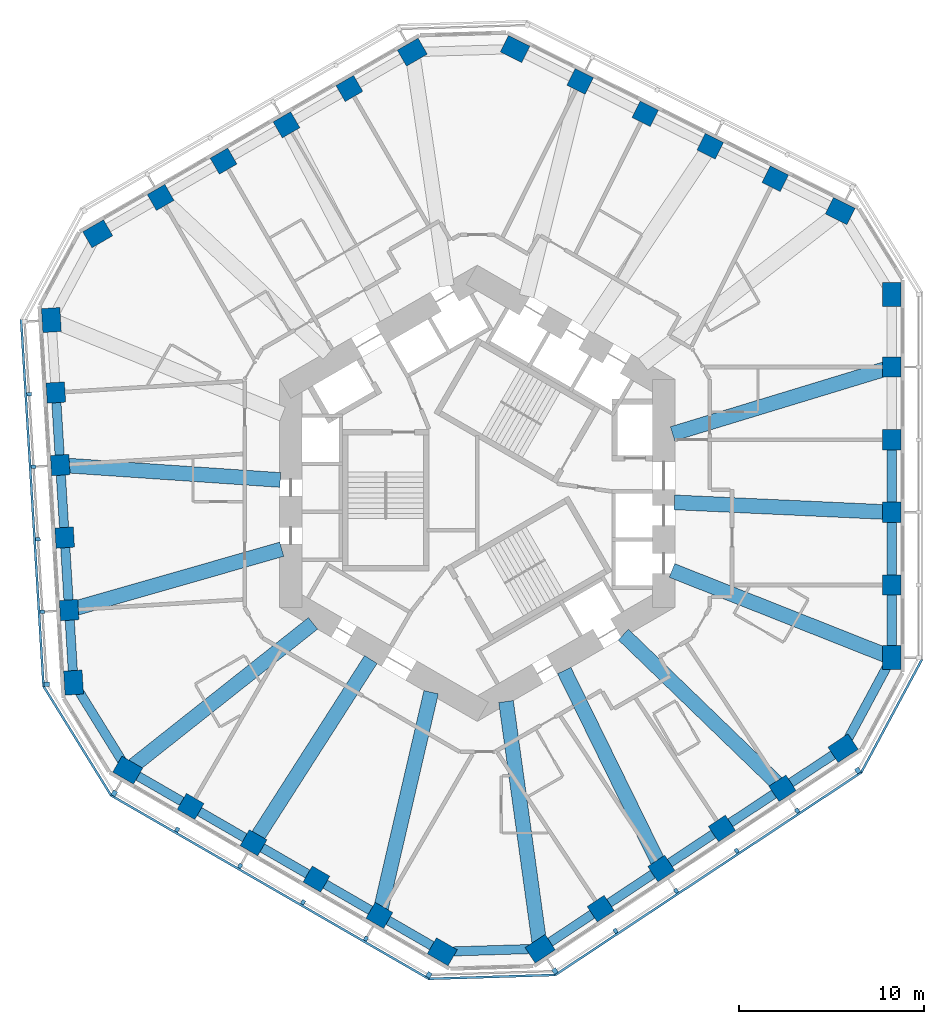
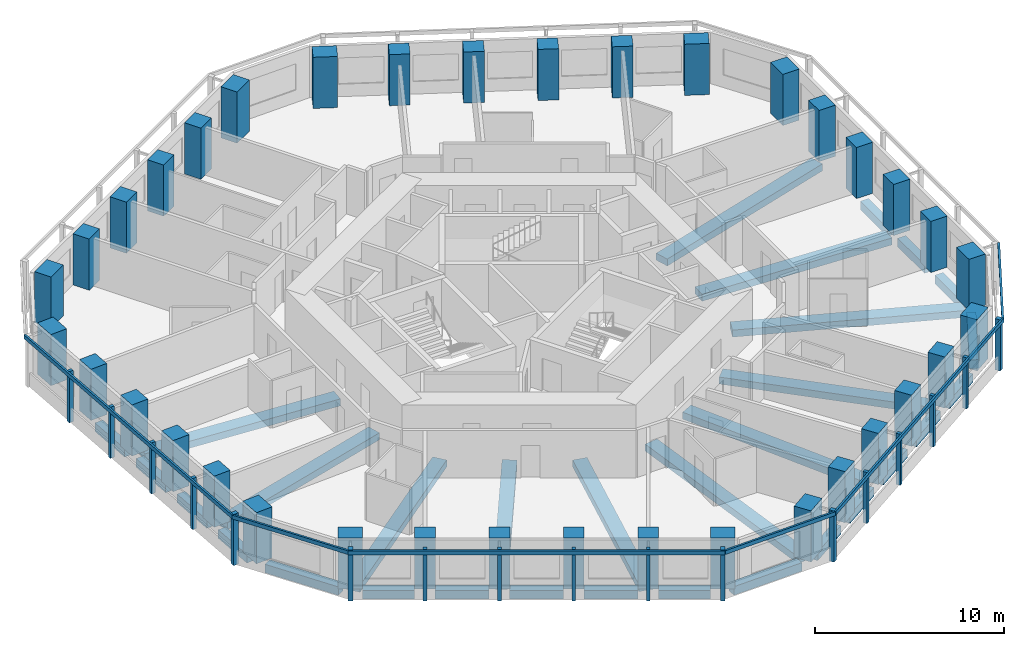
# One storey, part 1 of 12: 36 columns, 31 beams, 23 members, 6 elements without a shape of their own.
"""IFC4 building model written with IfcOpenShell, lengths in metres."""

from ifc_helpers import new_model, si_unit, direction, frame, origin, origin_2d, place, context, subcontext, project, spatial, rectangle, extrude, material, material_profile, profile_set, type_object, element, aggregate, save


model = new_model("IFC4")

# Units and contexts
model_context = context("Model", 3, precision=1e-05, world=origin(), true_north=direction((0.0, 1.0)))
body_context = subcontext(model_context, "Body", "Model", "MODEL_VIEW")
ifc_project = project(units=[si_unit("LENGTHUNIT", "METRE"), si_unit("AREAUNIT", "SQUARE_METRE"), si_unit("VOLUMEUNIT", "CUBIC_METRE"), si_unit("PLANEANGLEUNIT", "RADIAN"), si_unit("MASSUNIT", "GRAM", prefix="KILO")], contexts=[model_context])

# Site, building, storey
site_placement = place(None, origin())
site = spatial("IfcSite", under=ifc_project, at=site_placement, CompositionType="ELEMENT")
building_placement = place(site_placement, origin())
building = spatial("IfcBuilding", under=site, at=building_placement, Name="Vanh Sen Convention Tower", CompositionType="ELEMENT")
storey_placement = place(building_placement, frame((0.0, 0.0, 113.300048828125)))
storey = spatial("IfcBuildingStorey", under=building, at=storey_placement, Name="L27", CompositionType="ELEMENT", Elevation=113.300048828125)

# Columns
ifc_material_1 = material(Name="Concrete C80/95", Category="concrete")
ifc_material_profile_1 = material_profile(ifc_material_1, rectangle(XDim=1.10009765625, YDim=1.0, at=origin_2d()), Name="RC 1100X1000")
ifc_profile_set_1 = profile_set([ifc_material_profile_1], Name="Concrete C80/95")
column_type_1 = type_object("IfcColumnType", Name="Facade column 1100 x 1000 C80/95", PredefinedType="COLUMN", material=ifc_profile_set_1)
for number, where, z_axis, x_axis, name in (
    (1, (22.449951171875, -4.964599609375, 0.0), (0.0, 0.0, 1.0), (0.0, 1.0, 0.0), "Facade column 02 L27"),
    (2, (22.449951171875, -1.030029296875, 0.0), (0.0, 0.0, 1.0), (0.0, 1.0, 0.0), "Facade column 03 L27"),
    (3, (22.449951171875, 2.904541015625, 0.0), (0.0, 0.0, 1.0), (0.0, 1.0, 0.0), "Facade column 04 L27"),
    (4, (22.449951171875, 6.839111328125, 0.0), (0.0, 0.0, 1.0), (0.0, 1.0, 0.0), "Facade column 05 L27"),
    (5, (16.1376953125, 17.039794921875, 0.0), (0.0, 0.0, 1.0), (-0.894934361602, 0.44619781311, 0.0), "Facade column 08 L27"),
    (6, (12.616455078125, 18.79541015625, 0.0), (0.0, 0.0, 1.0), (-0.894934361602, 0.44619781311, 0.0), "Facade column 09 L27"),
    (7, (9.09521484375, 20.55078125, 0.0), (0.0, 0.0, 1.0), (-0.894934361602, 0.44619781311, 0.0), "Facade column 10 L27"),
    (8, (5.57421875, 22.306396484375, 0.0), (0.0, 0.0, 1.0), (-0.894934361602, 0.44619781311, 0.0), "Facade column 11 L27"),
    (9, (-6.925537109375, 21.924560546875, 0.0), (0.0, 0.0, 1.0), (-0.866025403784, -0.5, 0.0), "Facade column 14 L27"),
    (10, (-10.3330078125, 19.957275390625, 0.0), (0.0, 0.0, 1.0), (-0.866025403784, -0.5, 0.0), "Facade column 15 L27"),
    (11, (-13.740478515625, 17.989990234375, 0.0), (0.0, 0.0, 1.0), (-0.866025403784, -0.5, 0.0), "Facade column 16 L27"),
    (12, (-17.14794921875, 16.022705078125, 0.0), (0.0, 0.0, 1.0), (-0.866025403784, -0.5, 0.0), "Facade column 17 L27"),
    (13, (-22.82568359375, 5.455810546875, 0.0), (0.0, 0.0, 1.0), (0.061048539535, -0.998134798422, 0.0), "Facade column 20 L27"),
    (14, (-22.58544921875, 1.528564453125, 0.0), (0.0, 0.0, 1.0), (0.061048539535, -0.998134798422, 0.0), "Facade column 21 L27"),
    (15, (-22.34521484375, -2.398681640625, 0.0), (0.0, 0.0, 1.0), (0.061048539535, -0.998134798422, 0.0), "Facade column 22 L27"),
    (16, (-22.10498046875, -6.325927734375, 0.0), (0.0, 0.0, 1.0), (0.061048539535, -0.998134798422, 0.0), "Facade column 23 L27"),
    (17, (-15.5244140625, -16.9599609375, 0.0), (0.0, 0.0, 1.0), (0.866025403784, -0.5, 0.0), "Facade column 26 L27"),
    (18, (-12.1171875, -18.92724609375, 0.0), (0.0, 0.0, 1.0), (0.866025403784, -0.5, 0.0), "Facade column 27 L27"),
    (19, (-8.709716796875, -20.89453125, 0.0), (0.0, 0.0, 1.0), (0.866025403784, -0.5, 0.0), "Facade column 28 L27"),
    (20, (-5.302001953125, -22.86181640625, 0.0), (0.0, 0.0, 1.0), (0.866025403784, -0.5, 0.0), "Facade column 29 L27"),
    (21, (6.68798828125, -22.49560546875, 0.0), (0.0, 0.0, 1.0), (0.833885822067, 0.551936985312, 0.0), "Facade column 32 L27"),
    (22, (9.968994140625, -20.323974609375, 0.0), (0.0, 0.0, 1.0), (0.833885822067, 0.551936985312, 0.0), "Facade column 33 L27"),
    (23, (13.25, -18.152099609375, 0.0), (0.0, 0.0, 1.0), (0.833885822067, 0.551936985312, 0.0), "Facade column 34 L27"),
    (24, (16.531005859375, -15.980712890625, 0.0), (0.0, 0.0, 1.0), (0.833885822067, 0.551936985312, 0.0), "Facade column 35 L27"),
):
    element("IfcColumn", number, at=place(storey_placement, frame(where, z_axis=z_axis, x_axis=x_axis)), inside=storey, type_object=column_type_1, Name=name, PredefinedType="COLUMN", context=body_context, shape_type="SweptSolid", body=[
        extrude(rectangle(XDim=1.10009765625, YDim=1.0, at=origin_2d()), origin(), (0.0, 0.0, 1.0), 3.300048828125),
    ])
ifc_material_profile_2 = material_profile(ifc_material_1, rectangle(XDim=1.300048828125, YDim=1.0, at=origin_2d()), Name="RC 1300X1000")
ifc_profile_set_2 = profile_set([ifc_material_profile_2], Name="Concrete C80/95")
column_type_2 = type_object("IfcColumnType", Name="Facade corner column 1300 x 1000 C80/95", PredefinedType="COLUMN", material=ifc_profile_set_2)
for number, where, z_axis, x_axis, name in (
    (25, (22.449951171875, -8.899169921875, 0.0), (0.0, 0.0, 1.0), (0.0, 1.0, 0.0), "Facade column 01 L27"),
    (26, (22.449951171875, 10.773681640625, 0.0), (0.0, 0.0, 1.0), (0.0, 1.0, 0.0), "Facade column 06 L27"),
    (27, (19.658935546875, 15.2841796875, 0.0), (0.0, 0.0, 1.0), (-0.894934361602, 0.44619781311, 0.0), "Facade column 07 L27"),
    (28, (2.052978515625, 24.06201171875, 0.0), (0.0, 0.0, 1.0), (-0.894934361602, 0.44619781311, 0.0), "Facade column 12 L27"),
    (29, (-3.51806640625, 23.891845703125, 0.0), (0.0, 0.0, 1.0), (-0.866025403784, -0.5, 0.0), "Facade column 13 L27"),
    (30, (-20.555419921875, 14.055419921875, 0.0), (0.0, 0.0, 1.0), (-0.866025403784, -0.5, 0.0), "Facade column 18 L27"),
    (31, (-23.06591796875, 9.383056640625, 0.0), (0.0, 0.0, 1.0), (0.061048539535, -0.998134798422, 0.0), "Facade column 19 L27"),
    (32, (-21.86474609375, -10.253173828125, 0.0), (0.0, 0.0, 1.0), (0.061048539535, -0.998134798422, 0.0), "Facade column 24 L27"),
    (33, (-18.931884765625, -14.99267578125, 0.0), (0.0, 0.0, 1.0), (0.866025403784, -0.5, 0.0), "Facade column 25 L27"),
    (34, (-1.894775390625, -24.8291015625, 0.0), (0.0, 0.0, 1.0), (0.866025403784, -0.5, 0.0), "Facade column 30 L27"),
    (35, (3.406982421875, -24.6669921875, 0.0), (0.0, 0.0, 1.0), (0.833885822067, 0.551936985312, 0.0), "Facade column 31 L27"),
    (36, (19.81201171875, -13.808837890625, 0.0), (0.0, 0.0, 1.0), (0.833885822067, 0.551936985312, 0.0), "Facade column 36 L27"),
):
    element("IfcColumn", number, at=place(storey_placement, frame(where, z_axis=z_axis, x_axis=x_axis)), inside=storey, type_object=column_type_2, Name=name, PredefinedType="COLUMN", context=body_context, shape_type="SweptSolid", body=[
        extrude(rectangle(XDim=1.300048828125, YDim=1.0, at=origin_2d()), origin(), (0.0, 0.0, 1.0), 3.300048828125),
    ])

# Curtain wall, member
ifc_material_2 = material(Name="Concrete C50/60", Category="concrete")
curtain_wall_type = type_object("IfcCurtainWallType", Name="Outer skin hotel zone", PredefinedType="NOTDEFINED", material=ifc_material_2)
curtain_wall_1_placement = place(storey_placement, origin())
curtain_wall_1 = element("IfcCurtainWall", 37, at=curtain_wall_1_placement, inside=storey, type_object=curtain_wall_type, Name="OUTER SKIN W L27", PredefinedType="NOTDEFINED")
ifc_material_profile_3 = material_profile(ifc_material_2, rectangle(XDim=0.25, YDim=0.300048828125, at=origin_2d()), Name="Outer skin precast corner fin 250 x 300")
ifc_profile_set_3 = profile_set([ifc_material_profile_3], Name="Concrete C50/60")
member_type_1 = type_object("IfcMemberType", Name="Outer skin precast corner fin 250 x 300", PredefinedType="MULLION", material=ifc_profile_set_3)
member_1_placement = place(storey_placement, frame((-23.31201171875, -10.341796875, 0.0), z_axis=(0.0, 0.0, 1.0), x_axis=(0.061048539535, -0.998134798422, 0.0)))
member_1 = element("IfcMember", 38, at=member_1_placement, type_object=member_type_1, Name="OUTER SKIN CORNER FIN 6 W L27", PredefinedType="MULLION", context=body_context, shape_type="SweptSolid", body=[
    extrude(rectangle(XDim=0.25, YDim=0.300048828125, at=origin_2d()), origin(), (0.0, 0.0, 1.0), 3.300048828125),
])

# Curtain wall, members
curtain_wall_2_placement = place(storey_placement, origin())
curtain_wall_2 = element("IfcCurtainWall", 39, at=curtain_wall_2_placement, inside=storey, type_object=curtain_wall_type, Name="OUTER SKIN SW L27", PredefinedType="NOTDEFINED")
member_2_placement = place(storey_placement, frame((-19.656982421875, -16.248291015625, 0.0), z_axis=(0.0, 0.0, 1.0), x_axis=(0.866025403784, -0.5, 0.0)))
member_2 = element("IfcMember", 40, at=member_2_placement, type_object=member_type_1, Name="OUTER SKIN CORNER FIN 1 SW L27", PredefinedType="MULLION", context=body_context, shape_type="SweptSolid", body=[
    extrude(rectangle(XDim=0.25, YDim=0.300048828125, at=origin_2d()), origin(), (0.0, 0.0, 1.0), 3.300048828125),
])
member_3_placement = place(storey_placement, frame((-2.61962890625, -26.084716796875, 0.0), z_axis=(0.0, 0.0, 1.0), x_axis=(0.866025403784, -0.5, 0.0)))
member_3 = element("IfcMember", 41, at=member_3_placement, type_object=member_type_1, Name="OUTER SKIN CORNER FIN 6 SW L27", PredefinedType="MULLION", context=body_context, shape_type="SweptSolid", body=[
    extrude(rectangle(XDim=0.25, YDim=0.300048828125, at=origin_2d()), origin(), (0.0, 0.0, 1.0), 3.300048828125),
])

curtain_wall_3_placement = place(storey_placement, origin())
curtain_wall_3 = element("IfcCurtainWall", 42, at=curtain_wall_3_placement, inside=storey, type_object=curtain_wall_type, Name="OUTER SKIN SE L27", PredefinedType="NOTDEFINED")
member_4_placement = place(storey_placement, frame((4.207275390625, -25.876220703125, 0.0), z_axis=(0.0, 0.0, 1.0), x_axis=(0.833885822067, 0.551936985312, 0.0)))
member_4 = element("IfcMember", 43, at=member_4_placement, type_object=member_type_1, Name="OUTER SKIN CORNER FIN 1 SE L27", PredefinedType="MULLION", context=body_context, shape_type="SweptSolid", body=[
    extrude(rectangle(XDim=0.25, YDim=0.300048828125, at=origin_2d()), origin(), (0.0, 0.0, 1.0), 3.300048828125),
])
member_5_placement = place(storey_placement, frame((20.6123046875, -15.01806640625, 0.0), z_axis=(0.0, 0.0, 1.0), x_axis=(0.833885822067, 0.551936985312, 0.0)))
member_5 = element("IfcMember", 44, at=member_5_placement, type_object=member_type_1, Name="OUTER SKIN CORNER FIN 6 SE L27", PredefinedType="MULLION", context=body_context, shape_type="SweptSolid", body=[
    extrude(rectangle(XDim=0.25, YDim=0.300048828125, at=origin_2d()), origin(), (0.0, 0.0, 1.0), 3.300048828125),
])

# Member
ifc_material_profile_4 = material_profile(ifc_material_2, rectangle(XDim=0.199951171875, YDim=0.25, at=origin_2d()), Name="Outer skin precast fin 200 x 250")
ifc_profile_set_4 = profile_set([ifc_material_profile_4], Name="Concrete C50/60")
member_type_2 = type_object("IfcMemberType", Name="Outer skin precast fin 200 x 250", PredefinedType="MULLION", material=ifc_profile_set_4)
member_6_placement = place(storey_placement, frame((-24.27294921875, 5.3671875, 0.0), z_axis=(0.0, 0.0, 1.0), x_axis=(0.061048539535, -0.998134798422, 0.0)))
member_6 = element("IfcMember", 45, at=member_6_placement, type_object=member_type_2, Name="OUTER SKIN fin 2 W L27", PredefinedType="MULLION", context=body_context, shape_type="SweptSolid", body=[
    extrude(rectangle(XDim=0.199951171875, YDim=0.25, at=origin_2d()), origin(), (0.0, 0.0, 1.0), 3.300048828125),
])

member_7_placement = place(storey_placement, frame((-24.03271484375, 1.440185546875, 0.0), z_axis=(0.0, 0.0, 1.0), x_axis=(0.061048539535, -0.998134798422, 0.0)))
member_7 = element("IfcMember", 46, at=member_7_placement, type_object=member_type_2, Name="OUTER SKIN fin 3 W L27", PredefinedType="MULLION", context=body_context, shape_type="SweptSolid", body=[
    extrude(rectangle(XDim=0.199951171875, YDim=0.25, at=origin_2d()), origin(), (0.0, 0.0, 1.0), 3.300048828125),
])

member_8_placement = place(storey_placement, frame((-23.79248046875, -2.4873046875, 0.0), z_axis=(0.0, 0.0, 1.0), x_axis=(0.061048539535, -0.998134798422, 0.0)))
member_8 = element("IfcMember", 47, at=member_8_placement, type_object=member_type_2, Name="OUTER SKIN fin 4 W L27", PredefinedType="MULLION", context=body_context, shape_type="SweptSolid", body=[
    extrude(rectangle(XDim=0.199951171875, YDim=0.25, at=origin_2d()), origin(), (0.0, 0.0, 1.0), 3.300048828125),
])

member_9_placement = place(storey_placement, frame((-23.55224609375, -6.414306640625, 0.0), z_axis=(0.0, 0.0, 1.0), x_axis=(0.061048539535, -0.998134798422, 0.0)))
member_9 = element("IfcMember", 48, at=member_9_placement, type_object=member_type_2, Name="OUTER SKIN fin 5 W L27", PredefinedType="MULLION", context=body_context, shape_type="SweptSolid", body=[
    extrude(rectangle(XDim=0.199951171875, YDim=0.25, at=origin_2d()), origin(), (0.0, 0.0, 1.0), 3.300048828125),
])

member_10_placement = place(storey_placement, frame((-16.24951171875, -18.2158203125, 0.0), z_axis=(0.0, 0.0, 1.0), x_axis=(0.866025403784, -0.5, 0.0)))
member_10 = element("IfcMember", 49, at=member_10_placement, type_object=member_type_2, Name="OUTER SKIN fin 2 SW L27", PredefinedType="MULLION", context=body_context, shape_type="SweptSolid", body=[
    extrude(rectangle(XDim=0.199951171875, YDim=0.25, at=origin_2d()), origin(), (0.0, 0.0, 1.0), 3.300048828125),
])

member_11_placement = place(storey_placement, frame((-12.842041015625, -20.182861328125, 0.0), z_axis=(0.0, 0.0, 1.0), x_axis=(0.866025403784, -0.5, 0.0)))
member_11 = element("IfcMember", 50, at=member_11_placement, type_object=member_type_2, Name="OUTER SKIN fin 3 SW L27", PredefinedType="MULLION", context=body_context, shape_type="SweptSolid", body=[
    extrude(rectangle(XDim=0.199951171875, YDim=0.25, at=origin_2d()), origin(), (0.0, 0.0, 1.0), 3.300048828125),
])

member_12_placement = place(storey_placement, frame((-9.4345703125, -22.150146484375, 0.0), z_axis=(0.0, 0.0, 1.0), x_axis=(0.866025403784, -0.5, 0.0)))
member_12 = element("IfcMember", 51, at=member_12_placement, type_object=member_type_2, Name="OUTER SKIN fin 4 SW L27", PredefinedType="MULLION", context=body_context, shape_type="SweptSolid", body=[
    extrude(rectangle(XDim=0.199951171875, YDim=0.25, at=origin_2d()), origin(), (0.0, 0.0, 1.0), 3.300048828125),
])

member_13_placement = place(storey_placement, frame((-6.027099609375, -24.117431640625, 0.0), z_axis=(0.0, 0.0, 1.0), x_axis=(0.866025403784, -0.5, 0.0)))
member_13 = element("IfcMember", 52, at=member_13_placement, type_object=member_type_2, Name="OUTER SKIN fin 5 SW L27", PredefinedType="MULLION", context=body_context, shape_type="SweptSolid", body=[
    extrude(rectangle(XDim=0.199951171875, YDim=0.25, at=origin_2d()), origin(), (0.0, 0.0, 1.0), 3.300048828125),
])

member_14_placement = place(storey_placement, frame((7.48828125, -23.70458984375, 0.0), z_axis=(0.0, 0.0, 1.0), x_axis=(0.833885822067, 0.551936985312, 0.0)))
member_14 = element("IfcMember", 53, at=member_14_placement, type_object=member_type_2, Name="OUTER SKIN fin 2 SE L27", PredefinedType="MULLION", context=body_context, shape_type="SweptSolid", body=[
    extrude(rectangle(XDim=0.199951171875, YDim=0.25, at=origin_2d()), origin(), (0.0, 0.0, 1.0), 3.300048828125),
])

member_15_placement = place(storey_placement, frame((10.769287109375, -21.532958984375, 0.0), z_axis=(0.0, 0.0, 1.0), x_axis=(0.833885822067, 0.551936985312, 0.0)))
member_15 = element("IfcMember", 54, at=member_15_placement, type_object=member_type_2, Name="OUTER SKIN fin 3 SE L27", PredefinedType="MULLION", context=body_context, shape_type="SweptSolid", body=[
    extrude(rectangle(XDim=0.199951171875, YDim=0.25, at=origin_2d()), origin(), (0.0, 0.0, 1.0), 3.300048828125),
])

member_16_placement = place(storey_placement, frame((14.05029296875, -19.361328125, 0.0), z_axis=(0.0, 0.0, 1.0), x_axis=(0.833885822067, 0.551936985312, 0.0)))
member_16 = element("IfcMember", 55, at=member_16_placement, type_object=member_type_2, Name="OUTER SKIN fin 4 SE L27", PredefinedType="MULLION", context=body_context, shape_type="SweptSolid", body=[
    extrude(rectangle(XDim=0.199951171875, YDim=0.25, at=origin_2d()), origin(), (0.0, 0.0, 1.0), 3.300048828125),
])

member_17_placement = place(storey_placement, frame((17.331298828125, -17.189697265625, 0.0), z_axis=(0.0, 0.0, 1.0), x_axis=(0.833885822067, 0.551936985312, 0.0)))
member_17 = element("IfcMember", 56, at=member_17_placement, type_object=member_type_2, Name="OUTER SKIN fin 5 SE L27", PredefinedType="MULLION", context=body_context, shape_type="SweptSolid", body=[
    extrude(rectangle(XDim=0.199951171875, YDim=0.25, at=origin_2d()), origin(), (0.0, 0.0, 1.0), 3.300048828125),
])

ifc_material_profile_5 = material_profile(ifc_material_2, rectangle(XDim=0.1201171875, YDim=0.25, at=origin_2d()), Name="Outer skin precast spandrel band 250 x 120")
ifc_profile_set_5 = profile_set([ifc_material_profile_5], Name="Concrete C50/60")
member_type_3 = type_object("IfcMemberType", Name="Outer skin precast spandrel band 250 x 120", PredefinedType="USERDEFINED", material=ifc_profile_set_5)
member_18_placement = place(storey_placement, frame((-24.705322265625, 9.408203125, 3.175048828125), z_axis=(0.061050017989, -0.998134707995, 0.0), x_axis=(0.998134707995, 0.061050017989, 0.0)))
member_18 = element("IfcMember", 57, at=member_18_placement, type_object=member_type_3, Name="OUTER SKIN spandrel band W L27", ObjectType="TRANSOM", PredefinedType="USERDEFINED", context=body_context, shape_type="SweptSolid", body=[
    extrude(rectangle(XDim=0.1201171875, YDim=0.25, at=origin_2d()), origin(), (0.0, 0.0, 1.0), 19.923095703125),
])

aggregate(curtain_wall_1, [member_6, member_7, member_8, member_9, member_1, member_18])

# Curtain wall, member
curtain_wall_4_placement = place(storey_placement, origin())
curtain_wall_4 = element("IfcCurtainWall", 58, at=curtain_wall_4_placement, inside=storey, type_object=curtain_wall_type, Name="OUTER SKIN CH4 L27", PredefinedType="NOTDEFINED")
member_19_placement = place(storey_placement, frame((-23.49072265625, -10.4521484375, 3.175048828125), z_axis=(0.526196095141, -0.850363257354, 0.0), x_axis=(0.850363257354, 0.526196095141, 0.0)))
member_19 = element("IfcMember", 59, at=member_19_placement, type_object=member_type_3, Name="OUTER SKIN spandrel band CH4 L27", ObjectType="TRANSOM", PredefinedType="USERDEFINED", context=body_context, shape_type="SweptSolid", body=[
    extrude(rectangle(XDim=0.1201171875, YDim=0.25, at=origin_2d()), origin(), (0.0, 0.0, 1.0), 6.946044921875),
])
aggregate(curtain_wall_4, [member_19])

# Member
member_20_placement = place(storey_placement, frame((-19.85791015625, -16.34619140625, 3.175048828125), z_axis=(0.866028047459, -0.499995420993, 0.0), x_axis=(0.499995420993, 0.866028047459, 0.0)))
member_20 = element("IfcMember", 60, at=member_20_placement, type_object=member_type_3, Name="OUTER SKIN spandrel band SW L27", ObjectType="TRANSOM", PredefinedType="USERDEFINED", context=body_context, shape_type="SweptSolid", body=[
    extrude(rectangle(XDim=0.1201171875, YDim=0.25, at=origin_2d()), origin(), (0.0, 0.0, 1.0), 19.923095703125),
])

aggregate(curtain_wall_2, [member_2, member_10, member_11, member_12, member_13, member_3, member_20])

# Curtain wall, member
curtain_wall_5_placement = place(storey_placement, origin())
curtain_wall_5 = element("IfcCurtainWall", 61, at=curtain_wall_5_placement, inside=storey, type_object=curtain_wall_type, Name="OUTER SKIN CH5 L27", PredefinedType="NOTDEFINED")
member_21_placement = place(storey_placement, frame((-2.61328125, -26.294677734375, 3.175048828125), z_axis=(0.99953396928, 0.030526124156, 0.0), x_axis=(-0.030526124156, 0.99953396928, 0.0)))
member_21 = element("IfcMember", 62, at=member_21_placement, type_object=member_type_3, Name="OUTER SKIN spandrel band CH5 L27", ObjectType="TRANSOM", PredefinedType="USERDEFINED", context=body_context, shape_type="SweptSolid", body=[
    extrude(rectangle(XDim=0.1201171875, YDim=0.25, at=origin_2d()), origin(), (0.0, 0.0, 1.0), 6.830078125),
])
aggregate(curtain_wall_5, [member_21])

# Member
member_22_placement = place(storey_placement, frame((4.205078125, -26.099609375, 3.175048828125), z_axis=(0.833883851182, 0.551939962984, 0.0), x_axis=(-0.551939962984, 0.833883851182, 0.0)))
member_22 = element("IfcMember", 63, at=member_22_placement, type_object=member_type_3, Name="OUTER SKIN spandrel band SE L27", ObjectType="TRANSOM", PredefinedType="USERDEFINED", context=body_context, shape_type="SweptSolid", body=[
    extrude(rectangle(XDim=0.1201171875, YDim=0.25, at=origin_2d()), origin(), (0.0, 0.0, 1.0), 19.923095703125),
])

aggregate(curtain_wall_3, [member_4, member_14, member_15, member_16, member_17, member_5, member_22])

# Curtain wall, member
curtain_wall_6_placement = place(storey_placement, origin())
curtain_wall_6 = element("IfcCurtainWall", 64, at=curtain_wall_6_placement, inside=storey, type_object=curtain_wall_type, Name="OUTER SKIN CH6 L27", PredefinedType="NOTDEFINED")
member_23_placement = place(storey_placement, frame((20.797119140625, -15.117431640625, 3.175048828125), z_axis=(0.473324148816, 0.880888330123, 0.0), x_axis=(-0.880888330123, 0.473324148816, 0.0)))
member_23 = element("IfcMember", 65, at=member_23_placement, type_object=member_type_3, Name="OUTER SKIN spandrel band CH6 L27", ObjectType="TRANSOM", PredefinedType="USERDEFINED", context=body_context, shape_type="SweptSolid", body=[
    extrude(rectangle(XDim=0.1201171875, YDim=0.25, at=origin_2d()), origin(), (0.0, 0.0, 1.0), 6.9462890625),
])
aggregate(curtain_wall_6, [member_23])

# Beams
ifc_material_3 = material(Name="Concrete C50/60", Category="concrete")
ifc_material_profile_6 = material_profile(ifc_material_3, rectangle(XDim=0.800048828125, YDim=0.449951171875, at=origin_2d()), Name="RC 800X450")
ifc_profile_set_6 = profile_set([ifc_material_profile_6], Name="Concrete C50/60")
beam_type_1 = type_object("IfcBeamType", Name="Radial floor beam 800 x 450", PredefinedType="BEAM", material=ifc_profile_set_6)
beam_1_placement = place(storey_placement, frame((22.10205078125, -8.76123046875, -0.47509765625), z_axis=(-0.929623737454, 0.368510117584, 0.0), x_axis=(-0.368510117584, -0.929623737454, 0.0)))
element("IfcBeam", 66, at=beam_1_placement, inside=storey, type_object=beam_type_1, Name="Radial beam 01 L27", PredefinedType="BEAM", context=body_context, shape_type="SweptSolid", body=[
    extrude(rectangle(XDim=0.800048828125, YDim=0.449951171875, at=origin_2d()), origin(), (0.0, 0.0, 1.0), 12.4287109375),
])
beam_2_placement = place(storey_placement, frame((21.973388671875, -1.00830078125, -0.47509765625), z_axis=(-0.998949085964, 0.045833651953, 0.0), x_axis=(-0.045833651953, -0.998949085964, 0.0)))
element("IfcBeam", 67, at=beam_2_placement, inside=storey, type_object=beam_type_1, Name="Radial beam 02 L27", PredefinedType="BEAM", context=body_context, shape_type="SweptSolid", body=[
    extrude(rectangle(XDim=0.800048828125, YDim=0.449951171875, at=origin_2d()), origin(), (0.0, 0.0, 1.0), 11.30859375),
])
beam_3_placement = place(storey_placement, frame((22.0712890625, 6.7236328125, -0.47509765625), z_axis=(-0.956599525752, -0.29140581211, 0.0), x_axis=(0.29140581211, -0.956599525752, 0.0)))
element("IfcBeam", 68, at=beam_3_placement, inside=storey, type_object=beam_type_1, Name="Radial beam 03 L27", PredefinedType="BEAM", context=body_context, shape_type="SweptSolid", body=[
    extrude(rectangle(XDim=0.800048828125, YDim=0.449951171875, at=origin_2d()), origin(), (0.0, 0.0, 1.0), 12.01416015625),
])
beam_4_placement = place(storey_placement, frame((-22.138916015625, 1.498291015625, -0.47509765625), z_axis=(0.997717468066, -0.0675266904, 0.0), x_axis=(0.0675266904, 0.997717468066, 0.0)))
element("IfcBeam", 69, at=beam_4_placement, inside=storey, type_object=beam_type_1, Name="Radial beam 11 L27", PredefinedType="BEAM", context=body_context, shape_type="SweptSolid", body=[
    extrude(rectangle(XDim=0.800048828125, YDim=0.449951171875, at=origin_2d()), origin(), (0.0, 0.0, 1.0), 11.4970703125),
])
beam_5_placement = place(storey_placement, frame((-21.70263671875, -6.210693359375, -0.47509765625), z_axis=(0.96140993594, 0.275119855837, 0.0), x_axis=(-0.275119855837, 0.96140993594, 0.0)))
element("IfcBeam", 70, at=beam_5_placement, inside=storey, type_object=beam_type_1, Name="Radial beam 12 L27", PredefinedType="BEAM", context=body_context, shape_type="SweptSolid", body=[
    extrude(rectangle(XDim=0.800048828125, YDim=0.449951171875, at=origin_2d()), origin(), (0.0, 0.0, 1.0), 11.563720703125),
])
beam_6_placement = place(storey_placement, frame((-18.638671875, -14.76025390625, -0.47509765625), z_axis=(0.78395420425, 0.620818657612, 0.0), x_axis=(-0.620818657612, 0.78395420425, 0.0)))
element("IfcBeam", 71, at=beam_6_placement, inside=storey, type_object=beam_type_1, Name="Radial beam 13 L27", PredefinedType="BEAM", context=body_context, shape_type="SweptSolid", body=[
    extrude(rectangle(XDim=0.800048828125, YDim=0.449951171875, at=origin_2d()), origin(), (0.0, 0.0, 1.0), 12.428955078125),
])
beam_7_placement = place(storey_placement, frame((-11.85986328125, -18.525390625, -0.47509765625), z_axis=(0.539160288654, 0.842203172126, 0.0), x_axis=(-0.842203172126, 0.539160288654, 0.0)))
element("IfcBeam", 72, at=beam_7_placement, inside=storey, type_object=beam_type_1, Name="Radial beam 14 L27", PredefinedType="BEAM", context=body_context, shape_type="SweptSolid", body=[
    extrude(rectangle(XDim=0.800048828125, YDim=0.449951171875, at=origin_2d()), origin(), (0.0, 0.0, 1.0), 11.30859375),
])
beam_8_placement = place(storey_placement, frame((-5.212646484375, -22.476318359375, -0.47509765625), z_axis=(0.225927931957, 0.974144018902, 0.0), x_axis=(-0.974144018902, 0.225927931957, 0.0)))
element("IfcBeam", 73, at=beam_8_placement, inside=storey, type_object=beam_type_1, Name="Radial beam 15 L27", PredefinedType="BEAM", context=body_context, shape_type="SweptSolid", body=[
    extrude(rectangle(XDim=0.800048828125, YDim=0.449951171875, at=origin_2d()), origin(), (0.0, 0.0, 1.0), 12.01416015625),
])
beam_9_placement = place(storey_placement, frame((3.35791015625, -24.312744140625, -0.47509765625), z_axis=(-0.136801873088, 0.990598428991, 0.0), x_axis=(-0.990598428991, -0.136801873088, 0.0)))
element("IfcBeam", 74, at=beam_9_placement, inside=storey, type_object=beam_type_1, Name="Radial beam 16 L27", PredefinedType="BEAM", context=body_context, shape_type="SweptSolid", body=[
    extrude(rectangle(XDim=0.800048828125, YDim=0.449951171875, at=origin_2d()), origin(), (0.0, 0.0, 1.0), 13.159912109375),
])
beam_10_placement = place(storey_placement, frame((9.77197265625, -19.922119140625, -0.47509765625), z_axis=(-0.440388501121, 0.89780731122, 0.0), x_axis=(-0.89780731122, -0.440388501121, 0.0)))
element("IfcBeam", 75, at=beam_10_placement, inside=storey, type_object=beam_type_1, Name="Radial beam 17 L27", PredefinedType="BEAM", context=body_context, shape_type="SweptSolid", body=[
    extrude(rectangle(XDim=0.800048828125, YDim=0.449951171875, at=origin_2d()), origin(), (0.0, 0.0, 1.0), 11.497314453125),
])
beam_11_placement = place(storey_placement, frame((16.22998046875, -15.689697265625, -0.47509765625), z_axis=(-0.718965868582, 0.695045379679, 0.0), x_axis=(-0.695045379679, -0.718965868582, 0.0)))
element("IfcBeam", 76, at=beam_11_placement, inside=storey, type_object=beam_type_1, Name="Radial beam 18 L27", PredefinedType="BEAM", context=body_context, shape_type="SweptSolid", body=[
    extrude(rectangle(XDim=0.800048828125, YDim=0.449951171875, at=origin_2d()), origin(), (0.0, 0.0, 1.0), 11.563720703125),
])
ifc_material_profile_7 = material_profile(ifc_material_3, rectangle(XDim=0.5, YDim=0.550048828125, at=origin_2d()), Name="RC 500X550")
ifc_profile_set_7 = profile_set([ifc_material_profile_7], Name="Concrete C50/60")
beam_type_2 = type_object("IfcBeamType", Name="Spandrel beam 500 x 550", PredefinedType="SPANDREL", material=ifc_profile_set_7)
beam_12_placement = place(storey_placement, frame((22.449951171875, -8.254150390625, -0.525146484375), z_axis=(0.0, 1.0, 0.0), x_axis=(-1.0, 0.0, 0.0)))
element("IfcBeam", 77, at=beam_12_placement, inside=storey, type_object=beam_type_2, Name="Spandrel beam 01 L27", PredefinedType="SPANDREL", context=body_context, shape_type="SweptSolid", body=[
    extrude(rectangle(XDim=0.5, YDim=0.550048828125, at=origin_2d()), origin(), (0.0, 0.0, 1.0), 2.74462890625),
])
beam_13_placement = place(storey_placement, frame((22.449951171875, -4.419677734375, -0.525146484375), z_axis=(0.0, 1.0, 0.0), x_axis=(-1.0, 0.0, 0.0)))
element("IfcBeam", 78, at=beam_13_placement, inside=storey, type_object=beam_type_2, Name="Spandrel beam 02 L27", PredefinedType="SPANDREL", context=body_context, shape_type="SweptSolid", body=[
    extrude(rectangle(XDim=0.5, YDim=0.550048828125, at=origin_2d()), origin(), (0.0, 0.0, 1.0), 2.844482421875),
])
for number, where, z_axis, x_axis, name in (
    (79, (22.449951171875, -0.485107421875, -0.525146484375), (0.0, 1.0, 0.0), (-1.0, 0.0, 0.0), "Spandrel beam 03 L27"),
    (80, (-22.792236328125, 4.911865234375, -0.525146484375), (0.061021069303, -0.998136478194, 0.0), (0.998136478194, 0.061021069303, 0.0), "Spandrel beam 20 L27"),
    (81, (-22.552001953125, 0.984619140625, -0.525146484375), (0.061021069303, -0.998136478194, 0.0), (0.998136478194, 0.061021069303, 0.0), "Spandrel beam 21 L27"),
    (82, (-22.31201171875, -2.942626953125, -0.525146484375), (0.061106573347, -0.998131247228, 0.0), (0.998131247228, 0.061106573347, 0.0), "Spandrel beam 22 L27"),
):
    element("IfcBeam", number, at=place(storey_placement, frame(where, z_axis=z_axis, x_axis=x_axis)), inside=storey, type_object=beam_type_2, Name=name, PredefinedType="SPANDREL", context=body_context, shape_type="SweptSolid", body=[
        extrude(rectangle(XDim=0.5, YDim=0.550048828125, at=origin_2d()), origin(), (0.0, 0.0, 1.0), 2.8447265625),
    ])
beam_14_placement = place(storey_placement, frame((-22.07177734375, -6.869873046875, -0.525146484375), z_axis=(0.061021442686, -0.998136455367, 0.0), x_axis=(0.998136455367, 0.061021442686, 0.0)))
element("IfcBeam", 83, at=beam_14_placement, inside=storey, type_object=beam_type_2, Name="Spandrel beam 23 L27", PredefinedType="SPANDREL", context=body_context, shape_type="SweptSolid", body=[
    extrude(rectangle(XDim=0.5, YDim=0.550048828125, at=origin_2d()), origin(), (0.0, 0.0, 1.0), 2.74462890625),
])
beam_15_placement = place(storey_placement, frame((-21.556396484375, -10.75146484375, -0.525146484375), z_axis=(0.526169375405, -0.850379790674, 0.0), x_axis=(0.850379790674, 0.526169375405, 0.0)))
element("IfcBeam", 84, at=beam_15_placement, inside=storey, type_object=beam_type_2, Name="Spandrel beam 24 L27", PredefinedType="SPANDREL", context=body_context, shape_type="SweptSolid", body=[
    extrude(rectangle(XDim=0.5, YDim=0.550048828125, at=origin_2d()), origin(), (0.0, 0.0, 1.0), 4.4013671875),
])
beam_16_placement = place(storey_placement, frame((-18.373291015625, -15.315185546875, -0.525146484375), z_axis=(0.866006330792, -0.500033033937, 0.0), x_axis=(0.500033033937, 0.866006330792, 0.0)))
element("IfcBeam", 85, at=beam_16_placement, inside=storey, type_object=beam_type_2, Name="Spandrel beam 25 L27", PredefinedType="SPANDREL", context=body_context, shape_type="SweptSolid", body=[
    extrude(rectangle(XDim=0.5, YDim=0.550048828125, at=origin_2d()), origin(), (0.0, 0.0, 1.0), 2.744384765625),
])
for number, where, z_axis, x_axis, name in (
    (86, (-15.052490234375, -17.232421875, -0.525146484375), (0.866005490874, -0.500034488586, 0.0), (0.500034488586, 0.866005490874, 0.0), "Spandrel beam 26 L27"),
    (87, (-11.64501953125, -19.19970703125, -0.525146484375), (0.866005490874, -0.500034488586, 0.0), (0.500034488586, 0.866005490874, 0.0), "Spandrel beam 27 L27"),
    (88, (-8.237548828125, -21.1669921875, -0.525146484375), (0.866005490874, -0.500034488586, 0.0), (0.500034488586, 0.866005490874, 0.0), "Spandrel beam 28 L27"),
):
    element("IfcBeam", number, at=place(storey_placement, frame(where, z_axis=z_axis, x_axis=x_axis)), inside=storey, type_object=beam_type_2, Name=name, PredefinedType="SPANDREL", context=body_context, shape_type="SweptSolid", body=[
        extrude(rectangle(XDim=0.5, YDim=0.550048828125, at=origin_2d()), origin(), (0.0, 0.0, 1.0), 2.844482421875),
    ])
beam_17_placement = place(storey_placement, frame((-4.830078125, -23.13427734375, -0.525146484375), z_axis=(0.866006330792, -0.500033033937, 0.0), x_axis=(0.500033033937, 0.866006330792, 0.0)))
element("IfcBeam", 89, at=beam_17_placement, inside=storey, type_object=beam_type_2, Name="Spandrel beam 29 L27", PredefinedType="SPANDREL", context=body_context, shape_type="SweptSolid", body=[
    extrude(rectangle(XDim=0.5, YDim=0.550048828125, at=origin_2d()), origin(), (0.0, 0.0, 1.0), 2.744384765625),
])
beam_18_placement = place(storey_placement, frame((-1.353759765625, -24.8125, -0.525146484375), z_axis=(0.999533721385, 0.030534240042, 0.0), x_axis=(-0.030534240042, 0.999533721385, 0.0)))
element("IfcBeam", 90, at=beam_18_placement, inside=storey, type_object=beam_type_2, Name="Spandrel beam 30 L27", PredefinedType="SPANDREL", context=body_context, shape_type="SweptSolid", body=[
    extrude(rectangle(XDim=0.5, YDim=0.550048828125, at=origin_2d()), origin(), (0.0, 0.0, 1.0), 4.2216796875),
])
beam_19_placement = place(storey_placement, frame((3.94482421875, -24.31103515625, -0.525146484375), z_axis=(0.833906917805, 0.551905111805, 0.0), x_axis=(-0.551905111805, 0.833906917805, 0.0)))
element("IfcBeam", 91, at=beam_19_placement, inside=storey, type_object=beam_type_2, Name="Spandrel beam 31 L27", PredefinedType="SPANDREL", context=body_context, shape_type="SweptSolid", body=[
    extrude(rectangle(XDim=0.5, YDim=0.550048828125, at=origin_2d()), origin(), (0.0, 0.0, 1.0), 2.744384765625),
])
beam_20_placement = place(storey_placement, frame((7.142333984375, -22.194580078125, -0.525146484375), z_axis=(0.833920587756, 0.551884456491, 0.0), x_axis=(-0.551884456491, 0.833920587756, 0.0)))
element("IfcBeam", 92, at=beam_20_placement, inside=storey, type_object=beam_type_2, Name="Spandrel beam 32 L27", PredefinedType="SPANDREL", context=body_context, shape_type="SweptSolid", body=[
    extrude(rectangle(XDim=0.5, YDim=0.550048828125, at=origin_2d()), origin(), (0.0, 0.0, 1.0), 2.844482421875),
])
beam_21_placement = place(storey_placement, frame((10.42333984375, -20.023193359375, -0.525146484375), z_axis=(0.833841584342, 0.552003815406, 0.0), x_axis=(-0.552003815406, 0.833841584342, 0.0)))
element("IfcBeam", 93, at=beam_21_placement, inside=storey, type_object=beam_type_2, Name="Spandrel beam 33 L27", PredefinedType="SPANDREL", context=body_context, shape_type="SweptSolid", body=[
    extrude(rectangle(XDim=0.5, YDim=0.550048828125, at=origin_2d()), origin(), (0.0, 0.0, 1.0), 2.8447265625),
])
beam_22_placement = place(storey_placement, frame((13.704345703125, -17.851318359375, -0.525146484375), z_axis=(0.833920587756, 0.551884456491, 0.0), x_axis=(-0.551884456491, 0.833920587756, 0.0)))
element("IfcBeam", 94, at=beam_22_placement, inside=storey, type_object=beam_type_2, Name="Spandrel beam 34 L27", PredefinedType="SPANDREL", context=body_context, shape_type="SweptSolid", body=[
    extrude(rectangle(XDim=0.5, YDim=0.550048828125, at=origin_2d()), origin(), (0.0, 0.0, 1.0), 2.844482421875),
])
beam_23_placement = place(storey_placement, frame((16.9853515625, -15.6796875, -0.525146484375), z_axis=(0.833865974996, 0.551966969794, 0.0), x_axis=(-0.551966969794, 0.833865974996, 0.0)))
element("IfcBeam", 95, at=beam_23_placement, inside=storey, type_object=beam_type_2, Name="Spandrel beam 35 L27", PredefinedType="SPANDREL", context=body_context, shape_type="SweptSolid", body=[
    extrude(rectangle(XDim=0.5, YDim=0.550048828125, at=origin_2d()), origin(), (0.0, 0.0, 1.0), 2.74462890625),
])
beam_24_placement = place(storey_placement, frame((20.08935546875, -13.29248046875, -0.525146484375), z_axis=(0.473335516366, 0.880882221949, 0.0), x_axis=(-0.880882221949, 0.473335516366, 0.0)))
element("IfcBeam", 96, at=beam_24_placement, inside=storey, type_object=beam_type_2, Name="Spandrel beam 36 L27", PredefinedType="SPANDREL", context=body_context, shape_type="SweptSolid", body=[
    extrude(rectangle(XDim=0.5, YDim=0.550048828125, at=origin_2d()), origin(), (0.0, 0.0, 1.0), 4.401123046875),
])

save(model, "model.ifc")
